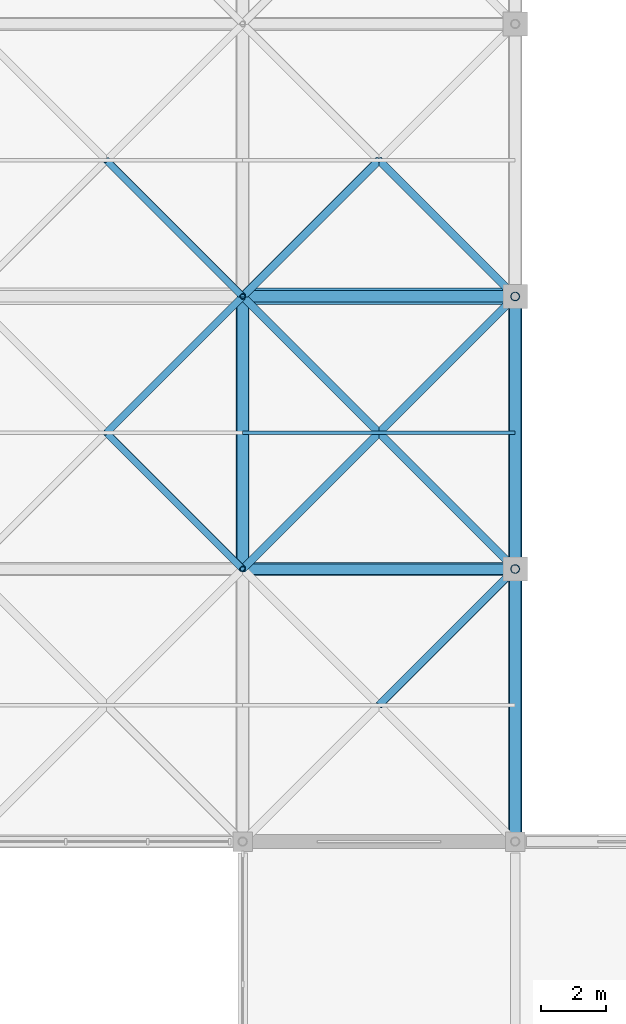
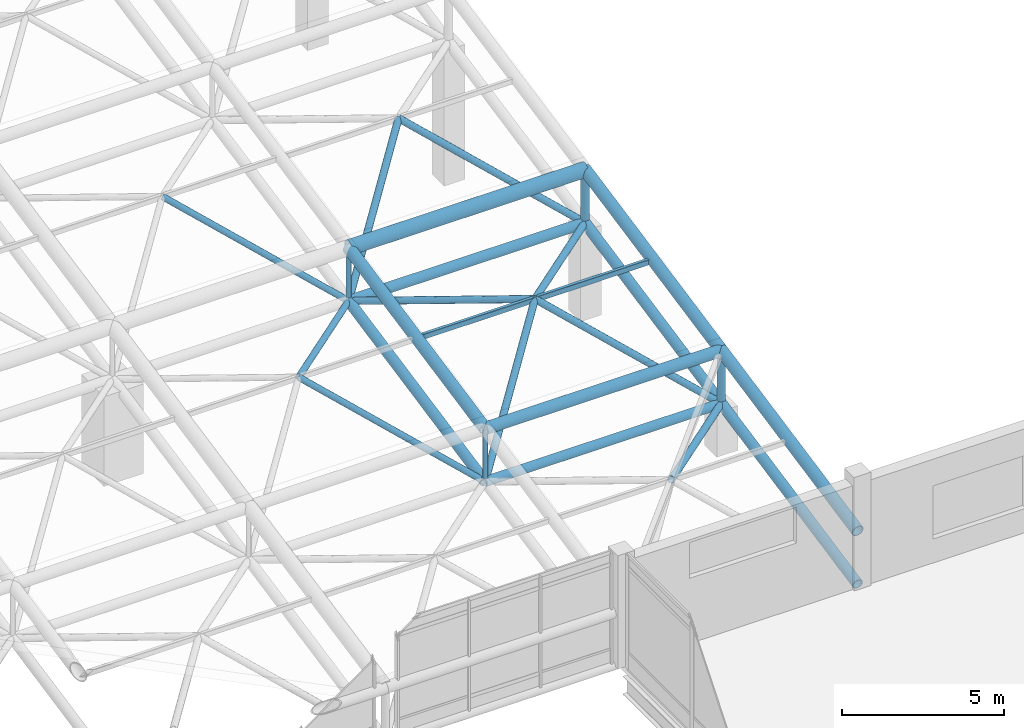
# One storey, part 24 of 81: 25 members.
"""IFC4 building model written with IfcOpenShell, lengths in metres."""

from ifc_helpers import new_model, si_unit, direction, frame, origin, origin_2d, place, context, subcontext, project, spatial, hollow_rectangle, hollow_circle, extrude, material, material_profile, profile_set, type_object, element, save


model = new_model("IFC4")

# Units and contexts
model_context = context("Model", 3, precision=1e-05, world=origin(), true_north=direction((0.0, 1.0)))
body_context = subcontext(model_context, "Body", "Model", "MODEL_VIEW")
ifc_project = project(units=[si_unit("LENGTHUNIT", "METRE"), si_unit("AREAUNIT", "SQUARE_METRE"), si_unit("VOLUMEUNIT", "CUBIC_METRE"), si_unit("PLANEANGLEUNIT", "RADIAN"), si_unit("MASSUNIT", "GRAM", prefix="KILO")], contexts=[model_context])

# Site, building, storey
site_placement = place(None, origin())
site = spatial("IfcSite", under=ifc_project, at=site_placement, CompositionType="ELEMENT")
building_placement = place(site_placement, origin())
building = spatial("IfcBuilding", under=site, at=building_placement, Name="Qawsi Khor Wholesale Market", CompositionType="ELEMENT")
storey_placement = place(building_placement, frame((0.0, 0.0, 16.199951171875)))
storey = spatial("IfcBuildingStorey", under=building, at=storey_placement, Name="L03", CompositionType="ELEMENT", Elevation=16.199951171875)

# Members
ifc_material = material(Name="Steel S355", Category="steel")
ifc_material_profile_1 = material_profile(ifc_material, hollow_circle(Radius=0.177734375, WallThickness=0.01611328125, at=origin_2d()), Name="CHS 355.6x16.0")
ifc_profile_set_1 = profile_set([ifc_material_profile_1], Name="Steel S355")
member_type_1 = type_object("IfcMemberType", Name="Space-Frame Bottom Chord CHS 355.6x16.0", PredefinedType="CHORD", material=ifc_profile_set_1)
member_1_placement = place(storey_placement, frame((67.199951171875, 50.39990234375, 1.670166015625), z_axis=(0.0, 0.98013111127, 0.198350711418), x_axis=(-1.0, 0.0, 0.0)))
element("IfcMember", 1, at=member_1_placement, inside=storey, type_object=member_type_1, Name="Space frame bottom chord Y WH (8,6)", PredefinedType="CHORD", context=body_context, shape_type="SweptSolid", body=[
    extrude(hollow_circle(Radius=0.177734375, WallThickness=0.01611328125, at=origin_2d()), origin(), (0.0, 0.0, 1.0), 8.5703125),
])
member_2_placement = place(storey_placement, frame((67.199951171875, 58.800048828125, 3.3701171875), z_axis=(1.0, 0.0, 0.0), x_axis=(0.0, 1.0, 0.0)))
element("IfcMember", 2, at=member_2_placement, inside=storey, type_object=member_type_1, Name="Space frame bottom chord X WH (8,7)", PredefinedType="CHORD", context=body_context, shape_type="SweptSolid", body=[
    extrude(hollow_circle(Radius=0.177734375, WallThickness=0.01611328125, at=origin_2d()), origin(), (0.0, 0.0, 1.0), 8.400146484375),
])
for number, where, z_axis, x_axis, name in (
    (3, (75.60009765625, 42.0, -0.030029296875), (0.0, 0.9801244518, 0.198383615716), (-1.0, 0.0, 0.0), "Space frame bottom chord Y WH (9,5)"),
    (4, (75.60009765625, 50.39990234375, 1.670166015625), (0.0, 0.98013111127, 0.198350711418), (-1.0, 0.0, 0.0), "Space frame bottom chord Y WH (9,6)"),
):
    element("IfcMember", number, at=place(storey_placement, frame(where, z_axis=z_axis, x_axis=x_axis)), inside=storey, type_object=member_type_1, Name=name, PredefinedType="CHORD", context=body_context, shape_type="SweptSolid", body=[
        extrude(hollow_circle(Radius=0.177734375, WallThickness=0.01611328125, at=origin_2d()), origin(), (0.0, 0.0, 1.0), 8.5703125),
    ])
ifc_material_profile_2 = material_profile(ifc_material, hollow_circle(Radius=0.136474609375, WallThickness=0.012451171875, at=origin_2d()), Name="CHS 273.0x12.5")
ifc_profile_set_2 = profile_set([ifc_material_profile_2], Name="Steel S355")
member_type_2 = type_object("IfcMemberType", Name="Space-Frame Edge Post CHS 273.0x12.5", PredefinedType="POST", material=ifc_profile_set_2)
for number, where, z_axis, x_axis, name in (
    (5, (75.60009765625, 50.39990234375, 1.670166015625), (0.0, 0.0, 1.0), (1.0, 0.0, 0.0), "Space frame post WH (9,6)"),
    (6, (75.60009765625, 58.800048828125, 3.3701171875), (0.0, 0.0, 1.0), (1.0, 0.0, 0.0), "Space frame post WH (9,7)"),
):
    element("IfcMember", number, at=place(storey_placement, frame(where, z_axis=z_axis, x_axis=x_axis)), inside=storey, type_object=member_type_2, Name=name, PredefinedType="POST", context=body_context, shape_type="SweptSolid", body=[
        extrude(hollow_circle(Radius=0.136474609375, WallThickness=0.012451171875, at=origin_2d()), origin(), (0.0, 0.0, 1.0), 2.0),
    ])
ifc_material_profile_3 = material_profile(ifc_material, hollow_circle(Radius=0.122314453125, WallThickness=0.012451171875, at=origin_2d()), Name="CHS 244.5x12.5")
ifc_profile_set_3 = profile_set([ifc_material_profile_3], Name="Steel S355")
member_type_3 = type_object("IfcMemberType", Name="Space-Frame Heavy Diagonal CHS 244.5x12.5", PredefinedType="POST", material=ifc_profile_set_3)
member_3_placement = place(storey_placement, frame((75.60009765625, 50.39990234375, 1.670166015625), z_axis=(-0.694237619642, -0.694197266374, 0.19006389145), x_axis=(0.70708622964, -0.707127332136, 0.0)))
element("IfcMember", 7, at=member_3_placement, inside=storey, type_object=member_type_3, Name="Space frame diagonal WH (8,5)-3", PredefinedType="POST", context=body_context, shape_type="SweptSolid", body=[
    extrude(hollow_circle(Radius=0.122314453125, WallThickness=0.012451171875, at=origin_2d()), origin(), (0.0, 0.0, 1.0), 6.050048828125),
])
for number, where, z_axis, x_axis, name in (
    (8, (67.199951171875, 50.39990234375, 1.670166015625), (0.637506899628, 0.637543957519, 0.432576762155), (-0.707127332136, 0.70708622964, 0.0), "Space frame diagonal WH (8,6)-1"),
    (9, (75.60009765625, 50.39990234375, 1.670166015625), (-0.637528895855, 0.637528895855, 0.432566542741), (-0.707106781187, -0.707106781187, 0.0), "Space frame diagonal WH (8,6)-2"),
):
    element("IfcMember", number, at=place(storey_placement, frame(where, z_axis=z_axis, x_axis=x_axis)), inside=storey, type_object=member_type_3, Name=name, PredefinedType="POST", context=body_context, shape_type="SweptSolid", body=[
        extrude(hollow_circle(Radius=0.122314453125, WallThickness=0.012451171875, at=origin_2d()), origin(), (0.0, 0.0, 1.0), 6.588134765625),
    ])
member_4_placement = place(storey_placement, frame((75.60009765625, 58.800048828125, 3.3701171875), z_axis=(-0.694237619642, -0.694197266374, 0.19006389145), x_axis=(0.70708622964, -0.707127332136, 0.0)))
element("IfcMember", 10, at=member_4_placement, inside=storey, type_object=member_type_3, Name="Space frame diagonal WH (8,6)-3", PredefinedType="POST", context=body_context, shape_type="SweptSolid", body=[
    extrude(hollow_circle(Radius=0.122314453125, WallThickness=0.012451171875, at=origin_2d()), origin(), (0.0, 0.0, 1.0), 6.050048828125),
])
member_5_placement = place(storey_placement, frame((67.199951171875, 58.800048828125, 3.3701171875), z_axis=(0.694216714393, -0.694216714393, 0.190069216113), x_axis=(0.707106781187, 0.707106781187, 0.0)))
element("IfcMember", 11, at=member_5_placement, inside=storey, type_object=member_type_3, Name="Space frame diagonal WH (8,6)-4", PredefinedType="POST", context=body_context, shape_type="SweptSolid", body=[
    extrude(hollow_circle(Radius=0.122314453125, WallThickness=0.012451171875, at=origin_2d()), origin(), (0.0, 0.0, 1.0), 6.0498046875),
])
member_6_placement = place(storey_placement, frame((67.199951171875, 58.800048828125, 3.3701171875), z_axis=(0.637521961484, 0.637521961484, 0.432586982294), x_axis=(-0.707106781187, 0.707106781187, 0.0)))
element("IfcMember", 12, at=member_6_placement, inside=storey, type_object=member_type_3, Name="Space frame diagonal WH (8,7)-1", PredefinedType="POST", context=body_context, shape_type="SweptSolid", body=[
    extrude(hollow_circle(Radius=0.122314453125, WallThickness=0.012451171875, at=origin_2d()), origin(), (0.0, 0.0, 1.0), 6.587890625),
])
member_7_placement = place(storey_placement, frame((75.60009765625, 58.800048828125, 3.3701171875), z_axis=(-0.637543957519, 0.637506899628, 0.432576762155), x_axis=(-0.70708622964, -0.707127332136, 0.0)))
element("IfcMember", 13, at=member_7_placement, inside=storey, type_object=member_type_3, Name="Space frame diagonal WH (8,7)-2", PredefinedType="POST", context=body_context, shape_type="SweptSolid", body=[
    extrude(hollow_circle(Radius=0.122314453125, WallThickness=0.012451171875, at=origin_2d()), origin(), (0.0, 0.0, 1.0), 6.588134765625),
])
ifc_material_profile_4 = material_profile(ifc_material, hollow_rectangle(XDim=0.1201171875, YDim=0.199951171875, WallThickness=0.008056640625, InnerFilletRadius=0.008056640625, OuterFilletRadius=0.01611328125, at=origin_2d()), Name="RHS 200x120x8.0")
ifc_profile_set_4 = profile_set([ifc_material_profile_4], Name="Steel S355")
member_type_4 = type_object("IfcMemberType", Name="Space-Frame Heavy Purlin RHS 200x120x8.0", PredefinedType="PURLIN", material=ifc_profile_set_4)
member_8_placement = place(storey_placement, frame((67.199951171875, 54.60009765625, 4.52001953125), z_axis=(1.0, 0.0, 0.0), x_axis=(0.0, 1.0, 0.0)))
element("IfcMember", 14, at=member_8_placement, inside=storey, type_object=member_type_4, Name="Space frame purlin WH (8,6)", PredefinedType="PURLIN", context=body_context, shape_type="SweptSolid", body=[
    extrude(hollow_rectangle(XDim=0.1201171875, YDim=0.199951171875, WallThickness=0.008056640625, InnerFilletRadius=0.008056640625, OuterFilletRadius=0.01611328125, at=origin_2d()), origin(), (0.0, 0.0, 1.0), 8.400146484375),
])
ifc_material_profile_5 = material_profile(ifc_material, hollow_circle(Radius=0.109619140625, WallThickness=0.010009765625, at=origin_2d()), Name="CHS 219.1x10.0")
ifc_profile_set_5 = profile_set([ifc_material_profile_5], Name="Steel S355")
member_type_5 = type_object("IfcMemberType", Name="Space-Frame Inner Diagonal CHS 219.1x10.0", PredefinedType="RAFTER", material=ifc_profile_set_5)
member_9_placement = place(storey_placement, frame((67.199951171875, 50.39990234375, 1.670166015625), z_axis=(-0.637506899628, 0.637543957519, 0.432576762155), x_axis=(-0.707127332136, -0.70708622964, 0.0)))
element("IfcMember", 15, at=member_9_placement, inside=storey, type_object=member_type_5, Name="Space frame diagonal WH (7,6)-2", PredefinedType="RAFTER", context=body_context, shape_type="SweptSolid", body=[
    extrude(hollow_circle(Radius=0.109619140625, WallThickness=0.010009765625, at=origin_2d()), origin(), (0.0, 0.0, 1.0), 6.588134765625),
])
member_10_placement = place(storey_placement, frame((67.199951171875, 58.800048828125, 3.3701171875), z_axis=(-0.694216714393, -0.694216714393, 0.190069216113), x_axis=(0.707106781187, -0.707106781187, 0.0)))
element("IfcMember", 16, at=member_10_placement, inside=storey, type_object=member_type_5, Name="Space frame diagonal WH (7,6)-3", PredefinedType="RAFTER", context=body_context, shape_type="SweptSolid", body=[
    extrude(hollow_circle(Radius=0.109619140625, WallThickness=0.010009765625, at=origin_2d()), origin(), (0.0, 0.0, 1.0), 6.0498046875),
])
member_11_placement = place(storey_placement, frame((67.199951171875, 58.800048828125, 3.3701171875), z_axis=(-0.637521961484, 0.637521961484, 0.432586982294), x_axis=(-0.707106781187, -0.707106781187, 0.0)))
element("IfcMember", 17, at=member_11_placement, inside=storey, type_object=member_type_5, Name="Space frame diagonal WH (7,7)-2", PredefinedType="RAFTER", context=body_context, shape_type="SweptSolid", body=[
    extrude(hollow_circle(Radius=0.109619140625, WallThickness=0.010009765625, at=origin_2d()), origin(), (0.0, 0.0, 1.0), 6.587890625),
])
ifc_material_profile_6 = material_profile(ifc_material, hollow_circle(Radius=0.25390625, WallThickness=0.02490234375, at=origin_2d()), Name="CHS 508.0x25.0")
ifc_profile_set_6 = profile_set([ifc_material_profile_6], Name="Steel S355")
member_type_6 = type_object("IfcMemberType", Name="Space-Frame Main Chord CHS 508.0x25.0", PredefinedType="CHORD", material=ifc_profile_set_6)
member_12_placement = place(storey_placement, frame((67.199951171875, 58.800048828125, 5.3701171875), z_axis=(1.0, 0.0, 0.0), x_axis=(0.0, 1.0, 0.0)))
element("IfcMember", 18, at=member_12_placement, inside=storey, type_object=member_type_6, Name="Space frame top chord X WH (8,7)", PredefinedType="CHORD", context=body_context, shape_type="SweptSolid", body=[
    extrude(hollow_circle(Radius=0.25390625, WallThickness=0.02490234375, at=origin_2d()), origin(), (0.0, 0.0, 1.0), 8.400146484375),
])
ifc_material_profile_7 = material_profile(ifc_material, hollow_circle(Radius=0.161865234375, WallThickness=0.01611328125, at=origin_2d()), Name="CHS 323.9x16.0")
ifc_profile_set_7 = profile_set([ifc_material_profile_7], Name="Steel S355")
member_type_7 = type_object("IfcMemberType", Name="Space-Frame Secondary Chord CHS 323.9x16.0", PredefinedType="CHORD", material=ifc_profile_set_7)
member_13_placement = place(storey_placement, frame((67.199951171875, 50.39990234375, 1.670166015625), z_axis=(1.0, 0.0, 0.0), x_axis=(0.0, 1.0, 0.0)))
element("IfcMember", 19, at=member_13_placement, inside=storey, type_object=member_type_7, Name="Space frame bottom chord X WH (8,6)", PredefinedType="CHORD", context=body_context, shape_type="SweptSolid", body=[
    extrude(hollow_circle(Radius=0.161865234375, WallThickness=0.01611328125, at=origin_2d()), origin(), (0.0, 0.0, 1.0), 8.400146484375),
])
ifc_material_profile_8 = material_profile(ifc_material, hollow_circle(Radius=0.203125, WallThickness=0.02001953125, at=origin_2d()), Name="CHS 406.4x20.0")
ifc_profile_set_8 = profile_set([ifc_material_profile_8], Name="Steel S355")
member_type_8 = type_object("IfcMemberType", Name="Space-Frame Top Chord CHS 406.4x20.0", PredefinedType="CHORD", material=ifc_profile_set_8)
member_14_placement = place(storey_placement, frame((67.199951171875, 50.39990234375, 3.670166015625), z_axis=(1.0, 0.0, 0.0), x_axis=(0.0, 1.0, 0.0)))
element("IfcMember", 20, at=member_14_placement, inside=storey, type_object=member_type_8, Name="Space frame top chord X WH (8,6)", PredefinedType="CHORD", context=body_context, shape_type="SweptSolid", body=[
    extrude(hollow_circle(Radius=0.203125, WallThickness=0.02001953125, at=origin_2d()), origin(), (0.0, 0.0, 1.0), 8.400146484375),
])
for number, where, z_axis, x_axis, name in (
    (21, (67.199951171875, 50.39990234375, 3.670166015625), (0.0, 0.98013111127, 0.198350711418), (-1.0, 0.0, 0.0), "Space frame top chord Y WH (8,6)"),
    (22, (75.60009765625, 42.0, 1.969970703125), (0.0, 0.9801244518, 0.198383615716), (-1.0, 0.0, 0.0), "Space frame top chord Y WH (9,5)"),
    (23, (75.60009765625, 50.39990234375, 3.670166015625), (0.0, 0.98013111127, 0.198350711418), (-1.0, 0.0, 0.0), "Space frame top chord Y WH (9,6)"),
):
    element("IfcMember", number, at=place(storey_placement, frame(where, z_axis=z_axis, x_axis=x_axis)), inside=storey, type_object=member_type_8, Name=name, PredefinedType="CHORD", context=body_context, shape_type="SweptSolid", body=[
        extrude(hollow_circle(Radius=0.203125, WallThickness=0.02001953125, at=origin_2d()), origin(), (0.0, 0.0, 1.0), 8.5703125),
    ])
ifc_material_profile_9 = material_profile(ifc_material, hollow_circle(Radius=0.084228515625, WallThickness=0.008056640625, at=origin_2d()), Name="CHS 168.3x8.0")
ifc_profile_set_9 = profile_set([ifc_material_profile_9], Name="Steel S355")
member_type_9 = type_object("IfcMemberType", Name="Space-Frame Vertical Strut CHS 168.3x8.0", PredefinedType="STRUT", material=ifc_profile_set_9)
for number, where, z_axis, x_axis, name in (
    (24, (67.199951171875, 50.39990234375, 1.670166015625), (0.0, 0.0, 1.0), (1.0, 0.0, 0.0), "Space frame post WH (8,6)"),
    (25, (67.199951171875, 58.800048828125, 3.3701171875), (0.0, 0.0, 1.0), (1.0, 0.0, 0.0), "Space frame post WH (8,7)"),
):
    element("IfcMember", number, at=place(storey_placement, frame(where, z_axis=z_axis, x_axis=x_axis)), inside=storey, type_object=member_type_9, Name=name, PredefinedType="STRUT", context=body_context, shape_type="SweptSolid", body=[
        extrude(hollow_circle(Radius=0.084228515625, WallThickness=0.008056640625, at=origin_2d()), origin(), (0.0, 0.0, 1.0), 2.0),
    ])

save(model, "model.ifc")
